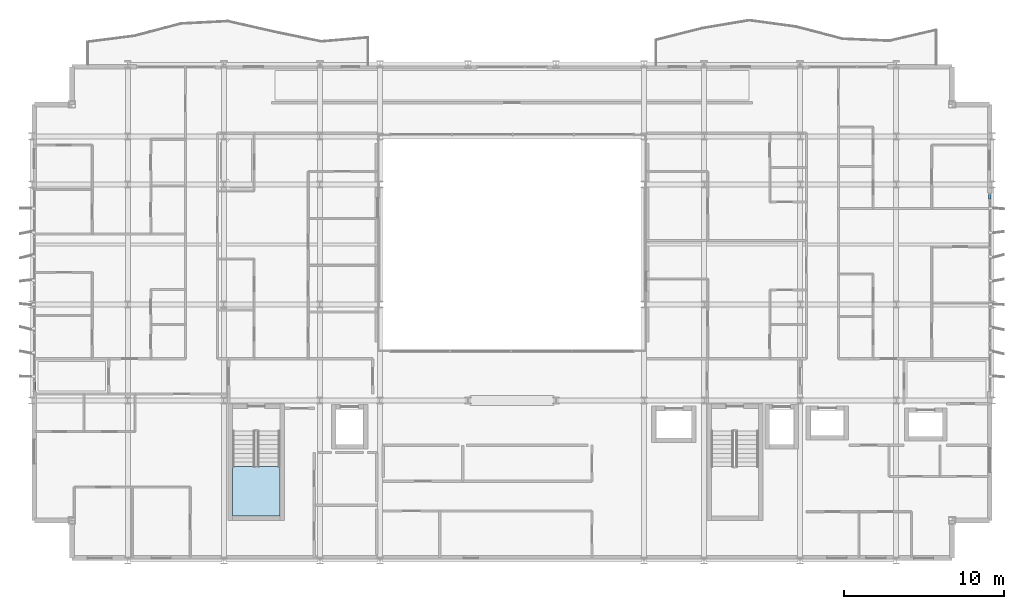
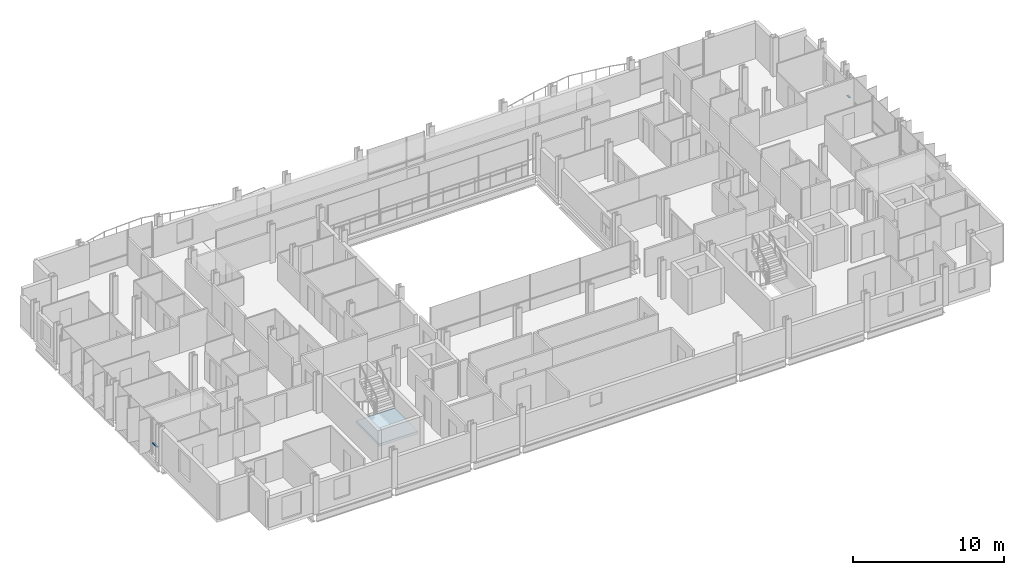
# One storey, part 21 of 38: 2 members, 1 slab, 3 elements without a shape of their own.
"""IFC4 building model written with IfcOpenShell, lengths in metres."""

from ifc_helpers import new_model, si_unit, direction, frame, origin, origin_2d, place, context, subcontext, project, spatial, polyline, hollow_rectangle, outline, extrude, material, layer, layer_set, material_profile, profile_set, type_object, element, aggregate, save


model = new_model("IFC4")

# Units and contexts
model_context = context("Model", 3, precision=1e-05, world=origin(), true_north=direction((0.0, 1.0)))
body_context = subcontext(model_context, "Body", "Model", "MODEL_VIEW")
ifc_project = project(units=[si_unit("LENGTHUNIT", "METRE"), si_unit("AREAUNIT", "SQUARE_METRE"), si_unit("VOLUMEUNIT", "CUBIC_METRE"), si_unit("PLANEANGLEUNIT", "RADIAN"), si_unit("MASSUNIT", "GRAM", prefix="KILO")], contexts=[model_context])

# Site, building, storey
site_placement = place(None, origin())
site = spatial("IfcSite", under=ifc_project, at=site_placement, CompositionType="ELEMENT")
building_placement = place(site_placement, origin())
building = spatial("IfcBuilding", under=site, at=building_placement, Name="Brevholm Reach", CompositionType="ELEMENT")
storey_placement = place(building_placement, frame((0.0, 0.0, 65.199951171875)))
storey = spatial("IfcBuildingStorey", under=building, at=storey_placement, Name="L18", CompositionType="ELEMENT", Elevation=65.199951171875)

# Curtain wall, member
ifc_material_1 = material(Name="Dark Anodised Aluminium 6063-T6 and Solar-Control Glass", Category="aluminium")
ifc_layer_1 = layer(ifc_material_1, 0.14990234375)
ifc_layer_set_1 = layer_set([ifc_layer_1], Name="Dark Anodised Aluminium 6063-T6 and Solar-Control Glass")
curtain_wall_type = type_object("IfcCurtainWallType", Name="CW-01", PredefinedType="NOTDEFINED", material=ifc_layer_set_1)
curtain_wall_1_placement = place(storey_placement, origin())
curtain_wall_1 = element("IfcCurtainWall", 1, at=curtain_wall_1_placement, inside=storey, type_object=curtain_wall_type, Name="L18 Curtain Wall CW-01", PredefinedType="NOTDEFINED")
ifc_material_2 = material(Name="Dark Anodised Aluminium 6063-T6", Category="aluminium")
ifc_material_profile = material_profile(ifc_material_2, hollow_rectangle(XDim=0.06494140625, YDim=0.14990234375, WallThickness=0.0048828125, InnerFilletRadius=0.0048828125, OuterFilletRadius=0.010009765625, at=origin_2d()), Name="RHS 150x65x5")
ifc_profile_set = profile_set([ifc_material_profile], Name="Dark Anodised Aluminium 6063-T6")
member_type = type_object("IfcMemberType", Name="CWT-150", PredefinedType="NOTDEFINED", material=ifc_profile_set)
member_1_placement = place(storey_placement, frame((0.14990234375, 11.1875, 0.900146484375), z_axis=(0.0, -1.0, 0.0), x_axis=(0.0, 0.0, 1.0)))
member_1 = element("IfcMember", 2, at=member_1_placement, type_object=member_type, Name="CT-150 Transom 5.1", ObjectType="TRANSOM", PredefinedType="USERDEFINED", context=body_context, shape_type="SweptSolid", body=[
    extrude(hollow_rectangle(XDim=0.06494140625, YDim=0.14990234375, WallThickness=0.0048828125, InnerFilletRadius=0.0048828125, OuterFilletRadius=0.010009765625, at=origin_2d()), origin(), (0.0, 0.0, 1.0), 0.572509765625),
])
aggregate(curtain_wall_1, [member_1])

curtain_wall_2_placement = place(storey_placement, origin())
curtain_wall_2 = element("IfcCurtainWall", 3, at=curtain_wall_2_placement, inside=storey, type_object=curtain_wall_type, Name="L18 Curtain Wall CW-01", PredefinedType="NOTDEFINED")
member_2_placement = place(storey_placement, frame((59.85009765625, 22.58251953125, 0.900146484375), z_axis=(0.0, 1.0, 0.0), x_axis=(0.0, 0.0, 1.0)))
member_2 = element("IfcMember", 4, at=member_2_placement, type_object=member_type, Name="CT-150 Transom 5.1", ObjectType="TRANSOM", PredefinedType="USERDEFINED", context=body_context, shape_type="SweptSolid", body=[
    extrude(hollow_rectangle(XDim=0.06494140625, YDim=0.14990234375, WallThickness=0.0048828125, InnerFilletRadius=0.0048828125, OuterFilletRadius=0.010009765625, at=origin_2d()), origin(), (0.0, 0.0, 1.0), 0.302490234375),
])
aggregate(curtain_wall_2, [member_2])

# Stair, slab
ifc_material_3 = material(Name="Precast Concrete C40/50", Category="concrete")
stair_type = type_object("IfcStairType", Name="STR-ESC-1400", PredefinedType="DOUBLE_RETURN_STAIR", material=ifc_material_3)
stair_placement = place(storey_placement, origin())
stair = element("IfcStair", 5, at=stair_placement, inside=storey, type_object=stair_type, Name="L18 ST-1", PredefinedType="DOUBLE_RETURN_STAIR")
ifc_material_4 = material(Name="Concrete C40/50", Category="concrete")
ifc_layer_2 = layer(ifc_material_4, 0.199951171875)
ifc_layer_set_2 = layer_set([ifc_layer_2], Name="Concrete C40/50")
slab_type = type_object("IfcSlabType", Name="SLB-LND-200", PredefinedType="LANDING", material=ifc_layer_set_2)
slab_placement = place(storey_placement, frame((0.0, 0.0, 1.35009765625)))
slab = element("IfcSlab", 6, at=slab_placement, type_object=slab_type, Name="ST-1 landing 1", PredefinedType="LANDING", context=body_context, shape_type="SweptSolid", body=[
    extrude(outline(polyline([(12.550048828125, 5.860107421875), (12.550048828125, 2.780029296875), (15.5, 2.780029296875), (15.5, 5.860107421875), (12.550048828125, 5.860107421875)])), origin(), (0.0, 0.0, 1.0), 0.199951171875),
])
aggregate(stair, [slab])

save(model, "model.ifc")
